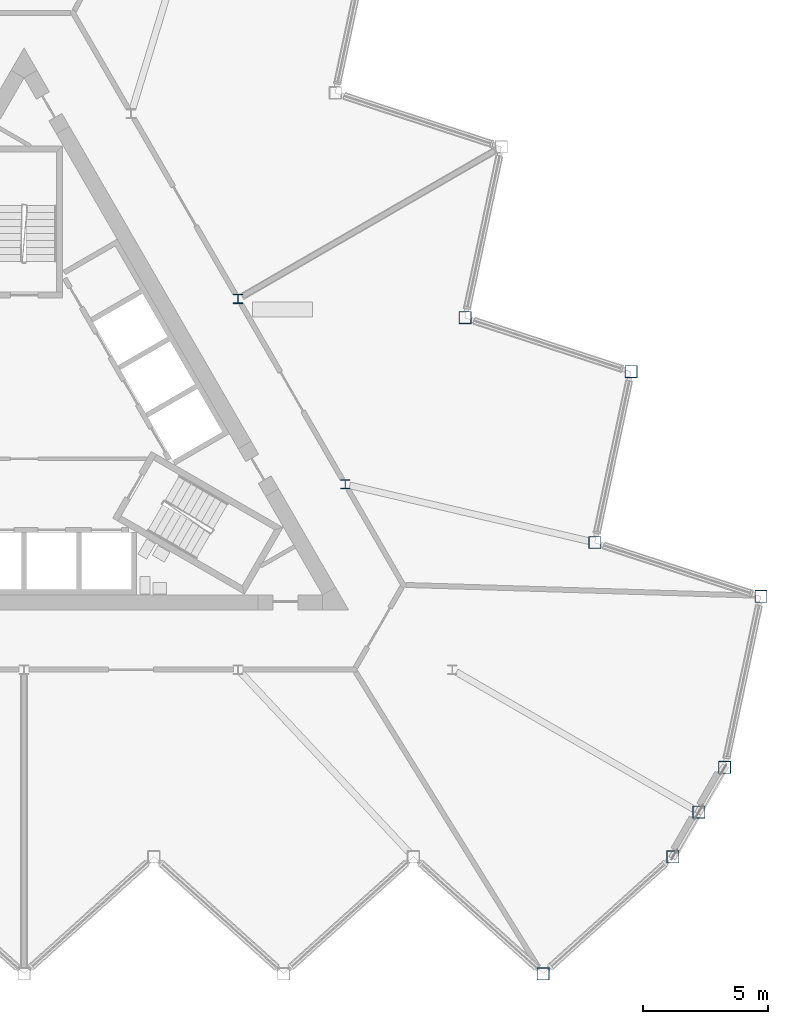
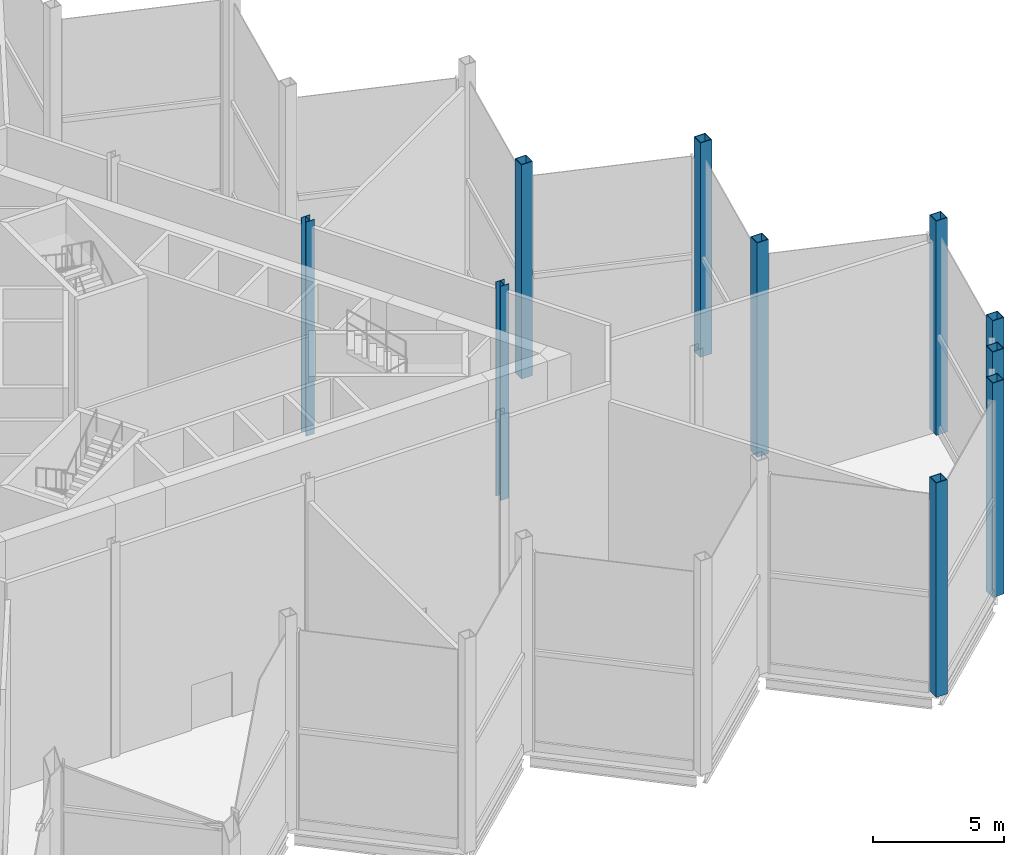
# One storey, part 2 of 18: 10 columns.
"""IFC4 building model written with IfcOpenShell, lengths in metres."""

from ifc_helpers import new_model, si_unit, direction, frame, origin, origin_2d, place, context, subcontext, project, spatial, hollow_rectangle, i_section, extrude, material, material_profile, profile_set, type_object, element, save


model = new_model("IFC4")

# Units and contexts
model_context = context("Model", 3, precision=1e-05, world=origin(), true_north=direction((0.0, 1.0)))
body_context = subcontext(model_context, "Body", "Model", "MODEL_VIEW")
ifc_project = project(units=[si_unit("LENGTHUNIT", "METRE"), si_unit("AREAUNIT", "SQUARE_METRE"), si_unit("VOLUMEUNIT", "CUBIC_METRE"), si_unit("PLANEANGLEUNIT", "RADIAN"), si_unit("MASSUNIT", "GRAM", prefix="KILO")], contexts=[model_context])

# Site, building, storey
site_placement = place(None, origin())
site = spatial("IfcSite", under=ifc_project, at=site_placement, CompositionType="ELEMENT")
building_placement = place(site_placement, origin())
building = spatial("IfcBuilding", under=site, at=building_placement, Name="Cormorant Prow Tower", CompositionType="ELEMENT")
storey_placement = place(building_placement, frame((0.0, 0.0, 405.199951171875)))
storey = spatial("IfcBuildingStorey", under=building, at=storey_placement, Name="L93", CompositionType="ELEMENT", Elevation=405.199951171875)

# Columns
ifc_material_1 = material(Name="Structural steel ASTM A572 Gr 50", Category="steel")
ifc_material_profile_1 = material_profile(ifc_material_1, hollow_rectangle(XDim=0.5, YDim=0.5, WallThickness=0.030029296875, at=origin_2d()), Name="Box 500x500x30")
ifc_profile_set_1 = profile_set([ifc_material_profile_1], Name="Structural steel ASTM A572 Gr 50")
column_type_1 = type_object("IfcColumnType", Name="Perimeter box column 500x500x30", PredefinedType="COLUMN", material=ifc_profile_set_1)
for number, where, z_axis, x_axis, name in (
    (1, (20.800048828125, -22.087890625, 0.0), (0.0, 0.0, 1.0), (1.0, 0.0, 0.0), "Perimeter column C7 at S09 L93"),
    (2, (26.0, -17.40576171875, 0.0), (0.0, 0.0, 1.0), (1.0, 0.0, 0.0), "Perimeter column C7 at ESE00 L93"),
    (3, (27.036865234375, -15.60986328125, 0.0), (0.0, 0.0, 1.0), (1.0, 0.0, 0.0), "Perimeter column C7 at ESE01 L93"),
    (4, (28.07373046875, -13.813720703125, 0.0), (0.0, 0.0, 1.0), (1.0, 0.0, 0.0), "Perimeter column C7 at ENE00 L93"),
    (5, (29.528564453125, -6.969482421875, 0.0), (0.0, 0.0, 1.0), (1.0, 0.0, 0.0), "Perimeter column C7 at ENE01 L93"),
    (6, (22.873779296875, -4.80712890625, 0.0), (0.0, 0.0, 1.0), (1.0, 0.0, 0.0), "Perimeter column C7 at ENE02 L93"),
    (7, (24.32861328125, 2.037353515625, 0.0), (0.0, 0.0, 1.0), (1.0, 0.0, 0.0), "Perimeter column C7 at ENE03 L93"),
    (8, (17.673828125, 4.199462890625, 0.0), (0.0, 0.0, 1.0), (1.0, 0.0, 0.0), "Perimeter column C7 at ENE04 L93"),
):
    element("IfcColumn", number, at=place(storey_placement, frame(where, z_axis=z_axis, x_axis=x_axis)), inside=storey, type_object=column_type_1, Name=name, PredefinedType="COLUMN", context=body_context, shape_type="SweptSolid", body=[
        extrude(hollow_rectangle(XDim=0.5, YDim=0.5, WallThickness=0.030029296875, at=origin_2d()), origin(), (0.0, 0.0, 1.0), 10.0),
    ])
ifc_material_2 = material(Name="Structural steel ASTM A992 Gr 50", Category="steel")
ifc_material_profile_2 = material_profile(ifc_material_2, i_section(OverallWidth=0.3740234375, OverallDepth=0.372314453125, WebThickness=0.016357421875, FlangeThickness=0.026123046875, at=origin_2d()), Name="W14x132")
ifc_profile_set_2 = profile_set([ifc_material_profile_2], Name="Structural steel ASTM A992 Gr 50")
column_type_2 = type_object("IfcColumnType", Name="Ring column W14x132", PredefinedType="COLUMN", material=ifc_profile_set_2)
for number, where, z_axis, x_axis, name in (
    (9, (12.86767578125, -2.476318359375, 0.0), (0.0, 0.0, 1.0), (1.0, 0.0, 0.0), "Ring column 10 L93"),
    (10, (8.578369140625, 4.952880859375, 0.0), (0.0, 0.0, 1.0), (1.0, 0.0, 0.0), "Ring column 11 L93"),
):
    element("IfcColumn", number, at=place(storey_placement, frame(where, z_axis=z_axis, x_axis=x_axis)), inside=storey, type_object=column_type_2, Name=name, PredefinedType="COLUMN", context=body_context, shape_type="SweptSolid", body=[
        extrude(i_section(OverallWidth=0.3740234375, OverallDepth=0.372314453125, WebThickness=0.016357421875, FlangeThickness=0.026123046875, at=origin_2d()), origin(), (0.0, 0.0, 1.0), 10.0),
    ])

save(model, "model.ifc")
